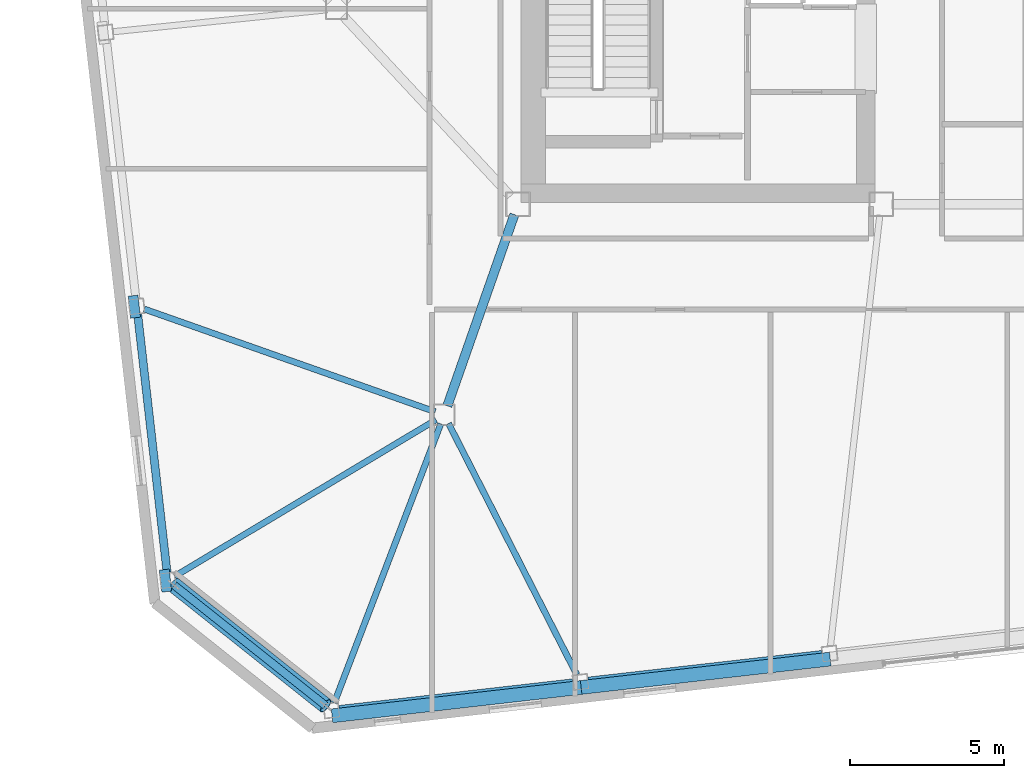
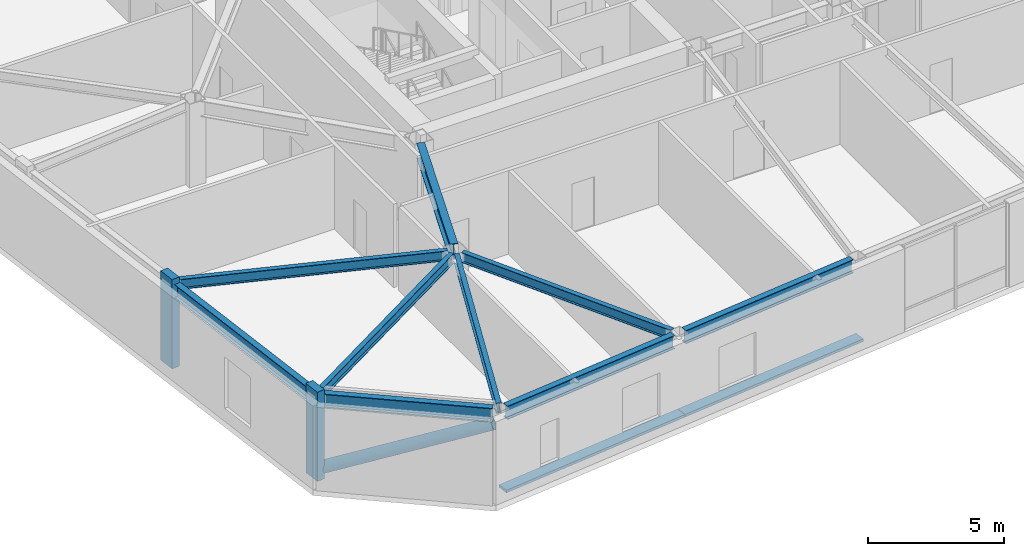
# One storey, part 5 of 21: 9 beams, 5 members.
"""IFC4 building model written with IfcOpenShell, lengths in metres."""

import ifcopenshell
import ifcopenshell.guid

model = None  # the IFC model being written
_history = None  # IfcOwnerHistory: only IFC2X3 demands one
_inside = {}  # id of a spatial element -> (the spatial element, [elements in it])
_under = {}  # id of a project, library or spatial element -> (it, [spatial elements below it])
_declared = {}  # id of a project -> (the project, [libraries it declares])
_typed = {}  # id of a type object -> (the type object, [elements of that type])
_made_of = {}  # id of a material, layer set ... -> (it, [elements and type objects made of it])


def new_model(schema):
    """Start an empty IFC model of exactly this schema.

    Asked for "IFC4X3", IfcOpenShell would pick the latest addendum, in which some entities
    have other attributes; the version numbers below select the first issue.
    IFC2X3 requires an IfcOwnerHistory on every rooted entity: one is made here for all.
    """
    global model, _history
    if schema == "IFC4X3":
        model = ifcopenshell.file(schema_version=(4, 3, 0, 0))
    else:
        model = ifcopenshell.file(schema=schema)
    _inside.clear()
    _under.clear()
    _declared.clear()
    _typed.clear()
    _made_of.clear()
    _history = None
    if model.schema == "IFC2X3":
        org = make("IfcOrganization", Name="unknown")
        user = make(
            "IfcPersonAndOrganization",
            ThePerson=make("IfcPerson", FamilyName="unknown"),
            TheOrganization=org,
        )
        app = make(
            "IfcApplication",
            ApplicationDeveloper=org,
            Version="unknown",
            ApplicationFullName="unknown",
            ApplicationIdentifier="unknown",
        )
        _history = make(
            "IfcOwnerHistory",
            OwningUser=user,
            OwningApplication=app,
            ChangeAction="ADDED",
            CreationDate=0,
        )
    return model


def make(cls, **values):
    """One entity of the class cls with the attributes given. An attribute that is None is left unset."""
    return model.create_entity(
        cls, **{name: value for name, value in values.items() if value is not None}
    )


def rooted(cls, **values):
    """An entity with a GlobalId (a new one), such as an element, a storey or a relation."""
    return make(cls, GlobalId=ifcopenshell.guid.new(), OwnerHistory=_history, **values)


def si_unit(unit_type, name, prefix=None):
    """IfcSIUnit, for example si_unit("LENGTHUNIT", "METRE", prefix="MILLI")."""
    return make("IfcSIUnit", UnitType=unit_type, Prefix=prefix, Name=name)


def assignment(units):
    """IfcUnitAssignment: the units of a project."""
    return None if units is None else make("IfcUnitAssignment", Units=units)


def point(xyz):
    """IfcCartesianPoint."""
    return None if xyz is None else make("IfcCartesianPoint", Coordinates=xyz)


def direction(xyz):
    """IfcDirection."""
    return None if xyz is None else make("IfcDirection", DirectionRatios=xyz)


def frame(location, z_axis=None, x_axis=None):
    """IfcAxis2Placement3D, a coordinate frame: its origin and axes. An axis left out is left unset."""
    return make(
        "IfcAxis2Placement3D",
        Location=point(location),
        Axis=direction(z_axis),
        RefDirection=direction(x_axis),
    )


def frame_2d(location, x_axis=None):
    """IfcAxis2Placement2D, a coordinate frame in the plane: its origin and x axis."""
    return make(
        "IfcAxis2Placement2D", Location=point(location), RefDirection=direction(x_axis)
    )


def origin():
    """The frame at (0, 0, 0) with its axes left unset."""
    return frame((0.0, 0.0, 0.0))


def origin_2d():
    """The frame at (0, 0) in the plane with its x axis left unset."""
    return frame_2d((0.0, 0.0))


def place(relative_to, where):
    """IfcLocalPlacement: puts the frame where relative to a parent placement (None: the world)."""
    return make(
        "IfcLocalPlacement", PlacementRelTo=relative_to, RelativePlacement=where
    )


def context(
    kind, dimensions, precision=None, world=None, true_north=None, identifier=None
):
    """IfcGeometricRepresentationContext, for example the 3D "Model" context."""
    return make(
        "IfcGeometricRepresentationContext",
        ContextIdentifier=identifier,
        ContextType=kind,
        CoordinateSpaceDimension=dimensions,
        Precision=precision,
        WorldCoordinateSystem=world,
        TrueNorth=true_north,
    )


def subcontext(parent, identifier, kind, view, scale=None):
    """IfcGeometricRepresentationSubContext, for example "Body" below "Model"."""
    return make(
        "IfcGeometricRepresentationSubContext",
        ContextIdentifier=identifier,
        ContextType=kind,
        ParentContext=parent,
        TargetScale=scale,
        TargetView=view,
    )


def project(units=None, contexts=None):
    """IfcProject with its units and contexts."""
    return rooted(
        "IfcProject",
        Name="project",
        RepresentationContexts=contexts,
        UnitsInContext=assignment(units),
    )


def spatial(cls, under=None, at=None, **own):
    """A site, building, storey or space (cls), placed at a placement, below another one or the project."""
    s = rooted(cls, ObjectPlacement=at, **own)
    if under is not None:
        _under.setdefault(under.id(), (under, []))[1].append(s)
    return s


def profile(cls, at=None, kind="AREA", **sizes):
    """A parametric profile (cls). Its sizes go by their IFC names, for example OverallWidth=200.0."""
    return make(cls, ProfileType=kind, Position=at, **sizes)


def rectangle(**sizes):
    """IfcRectangleProfileDef."""
    return profile("IfcRectangleProfileDef", **sizes)


def hollow_circle(**sizes):
    """IfcCircleHollowProfileDef."""
    return profile("IfcCircleHollowProfileDef", **sizes)


def i_section(**sizes):
    """IfcIShapeProfileDef."""
    return profile("IfcIShapeProfileDef", **sizes)


def extrude(swept, where, along, depth):
    """IfcExtrudedAreaSolid: the profile swept, set in the frame where, extruded along a direction by depth."""
    return make(
        "IfcExtrudedAreaSolid",
        SweptArea=swept,
        Position=where,
        ExtrudedDirection=direction(along),
        Depth=depth,
    )


def shape(context_of_items, identifier, shape_type, items):
    """IfcShapeRepresentation: the items that make up one representation, for example the "Body"."""
    return make(
        "IfcShapeRepresentation",
        ContextOfItems=context_of_items,
        RepresentationIdentifier=identifier,
        RepresentationType=shape_type,
        Items=items,
    )


def material(Name=None, Category=None):
    """IfcMaterial."""
    return make("IfcMaterial", Name=Name, Category=Category)


def material_profile(
    of_material, cross_section, Name=None, Category=None, Priority=None
):
    """IfcMaterialProfile: a cross section and its material."""
    return make(
        "IfcMaterialProfile",
        Name=Name,
        Material=of_material,
        Profile=cross_section,
        Priority=Priority,
        Category=Category,
    )


def profile_set(profiles, Name=None, composite=None):
    """IfcMaterialProfileSet."""
    return make(
        "IfcMaterialProfileSet",
        Name=Name,
        MaterialProfiles=profiles,
        CompositeProfile=composite,
    )


def made_of(thing, what):
    """Note that an element or type object is made of a material, layer set ...; save() writes the relation."""
    if what is not None:
        _made_of.setdefault(what.id(), (what, []))[1].append(thing)
    return thing


def type_object(cls, material=None, **own):
    """A type object (cls), such as IfcWallType, which elements share."""
    return made_of(rooted(cls, **own), material)


def element(
    cls,
    number,
    at=None,
    inside=None,
    cuts=None,
    type_object=None,
    material=None,
    context=None,
    identifier="Body",
    shape_type=None,
    held_by="IfcProductDefinitionShape",
    body=None,
    shapes=None,
    **own,
):
    """One element of the class cls, such as IfcWall. Its Tag is "e" and its number.

    at: its placement. inside: the storey or other place that contains it. cuts: it is an
    opening in that element (IfcRelVoidsElement). A single representation is given by context,
    identifier, shape_type and body (its items); several are given by shapes. held_by: the class
    of the entity that holds the representations. save() writes the other relations.
    """
    e = rooted(cls, Tag="e%d" % number, ObjectPlacement=at, **own)
    if body is not None:
        shapes = [shape(context, identifier, shape_type, body)]
    if shapes is not None:
        e.Representation = make(held_by, Representations=shapes)
    if inside is not None:
        _inside.setdefault(inside.id(), (inside, []))[1].append(e)
    if cuts is not None:
        rooted(
            "IfcRelVoidsElement", RelatingBuildingElement=cuts, RelatedOpeningElement=e
        )
    if type_object is not None:
        _typed.setdefault(type_object.id(), (type_object, []))[1].append(e)
    return made_of(e, material)


def aggregate(whole, parts):
    """IfcRelAggregates: a whole, such as a stair, and the parts it consists of."""
    return rooted("IfcRelAggregates", RelatingObject=whole, RelatedObjects=parts)


def save(model, path):
    """Write the relations noted so far, then the file.

    IfcRelAggregates (storeys below a building ...), IfcRelContainedInSpatialStructure (elements
    in a storey), IfcRelDefinesByType, IfcRelAssociatesMaterial and IfcRelDeclares: one each for
    every whole, place, type object, material and project.
    """
    for whole, parts in _under.values():
        aggregate(whole, parts)
    for where, things in _inside.values():
        rooted(
            "IfcRelContainedInSpatialStructure",
            RelatedElements=things,
            RelatingStructure=where,
        )
    for kind, things in _typed.values():
        rooted("IfcRelDefinesByType", RelatedObjects=things, RelatingType=kind)
    for what, things in _made_of.values():
        rooted("IfcRelAssociatesMaterial", RelatedObjects=things, RelatingMaterial=what)
    for by, libraries in _declared.values():
        rooted("IfcRelDeclares", RelatingContext=by, RelatedDefinitions=libraries)
    model.write(path)


model = new_model("IFC4")

# Units and contexts
model_context = context("Model", 3, precision=1e-05, world=origin(), true_north=direction((0.0, 1.0)))
body_context = subcontext(model_context, "Body", "Model", "MODEL_VIEW")
ifc_project = project(units=[si_unit("LENGTHUNIT", "METRE"), si_unit("AREAUNIT", "SQUARE_METRE"), si_unit("VOLUMEUNIT", "CUBIC_METRE"), si_unit("PLANEANGLEUNIT", "RADIAN"), si_unit("MASSUNIT", "GRAM", prefix="KILO")], contexts=[model_context])

# Site, building, storey
site_placement = place(None, origin())
site = spatial("IfcSite", under=ifc_project, at=site_placement, CompositionType="ELEMENT")
building_placement = place(site_placement, origin())
building = spatial("IfcBuilding", under=site, at=building_placement, Name="Tavrogorsk Clinical Tower", CompositionType="ELEMENT")
storey_placement = place(building_placement, frame((0.0, 0.0, 247.0)))
storey = spatial("IfcBuildingStorey", under=building, at=storey_placement, Name="L57", CompositionType="ELEMENT", Elevation=247.0)

# Members
ifc_material_1 = material(Name="Anodised aluminium alloy AW-6063", Category="aluminium")
ifc_material_profile_1 = material_profile(ifc_material_1, rectangle(XDim=0.449951171875, YDim=0.1201171875, at=origin_2d()), Name="ALU-SUNSHADE-450x120")
ifc_profile_set_1 = profile_set([ifc_material_profile_1], Name="Anodised aluminium alloy AW-6063")
member_type_1 = type_object("IfcMemberType", Name="ChicagoSunshade_450x120", PredefinedType="USERDEFINED", material=ifc_profile_set_1)
for number, where, z_axis, x_axis, name in (
    (1, (-28.144287109375, -22.981201171875, 0.179931640625), (0.9935729766, 0.113193375116, 0.0), (-0.113193375116, 0.9935729766, 0.0), "L57 South Aluminium Sunshade S1"),
    (2, (-20.048095703125, -22.058837890625, 0.179931640625), (0.9935729766, 0.113193375116, 0.0), (-0.113193375116, 0.9935729766, 0.0), "L57 South Aluminium Sunshade S2"),
):
    element("IfcMember", number, at=place(storey_placement, frame(where, z_axis=z_axis, x_axis=x_axis)), inside=storey, type_object=member_type_1, Name=name, ObjectType="SUNSHADE", PredefinedType="USERDEFINED", context=body_context, shape_type="SweptSolid", body=[
        extrude(rectangle(XDim=0.449951171875, YDim=0.1201171875, at=origin_2d()), origin(), (0.0, 0.0, 1.0), 8.148681640625),
    ])
ifc_material_2 = material(Name="Structural steel S440", Category="steel")
ifc_material_profile_2 = material_profile(ifc_material_2, hollow_circle(Radius=0.25390625, WallThickness=0.02001953125, at=origin_2d()), Name="CHS-508x20")
ifc_profile_set_2 = profile_set([ifc_material_profile_2], Name="Structural steel S440")
member_type_2 = type_object("IfcMemberType", Name="ExoBrace_CHS508", PredefinedType="BRACE", material=ifc_profile_set_2)
member_placement = place(storey_placement, frame((-33.29052734375, -18.725341796875, 0.398193359375), z_axis=(0.723851679348, -0.575789482159, 0.380138420237), x_axis=(0.622522488852, 0.782601910855, 0.0)))
element("IfcMember", 3, at=member_placement, inside=storey, type_object=member_type_2, Name="L57 Corner Exoskeleton Brace W5-S1", PredefinedType="BRACE", context=body_context, shape_type="SweptSolid", body=[
    extrude(hollow_circle(Radius=0.25390625, WallThickness=0.02001953125, at=origin_2d()), origin(), (0.0, 0.0, 1.0), 6.8232421875),
])

# Beams
ifc_material_3 = material(Name="Structural steel S355", Category="steel")
ifc_material_profile_3 = material_profile(ifc_material_3, i_section(OverallWidth=0.199951171875, OverallDepth=0.449951171875, WebThickness=0.011474609375, FlangeThickness=0.01806640625, at=origin_2d()), Name="B-450x200x11.5x18")
ifc_profile_set_3 = profile_set([ifc_material_profile_3], Name="Structural steel S355")
beam_type_1 = type_object("IfcBeamType", Name="FloorBeam_B450", PredefinedType="BEAM", material=ifc_profile_set_3)
beam_1_placement = place(storey_placement, frame((-24.610595703125, -13.489501953125, 3.514892578125), z_axis=(-0.356548354426, -0.93427687061, 0.0), x_axis=(0.93427687061, -0.356548354426, 0.0)))
element("IfcBeam", 4, at=beam_1_placement, inside=storey, type_object=beam_type_1, Name="L57 Radial Floor Beam S1", PredefinedType="BEAM", context=body_context, shape_type="SweptSolid", body=[
    extrude(i_section(OverallWidth=0.199951171875, OverallDepth=0.449951171875, WebThickness=0.011474609375, FlangeThickness=0.01806640625, at=origin_2d()), origin(), (0.0, 0.0, 1.0), 9.710205078125),
])
beam_2_placement = place(storey_placement, frame((-24.359130859375, -13.47607421875, 3.514892578125), z_axis=(0.454709818127, -0.890639647275, 0.0), x_axis=(0.890639647275, 0.454709818127, 0.0)))
element("IfcBeam", 5, at=beam_2_placement, inside=storey, type_object=beam_type_1, Name="L57 Radial Floor Beam S2", PredefinedType="BEAM", context=body_context, shape_type="SweptSolid", body=[
    extrude(i_section(OverallWidth=0.199951171875, OverallDepth=0.449951171875, WebThickness=0.011474609375, FlangeThickness=0.01806640625, at=origin_2d()), origin(), (0.0, 0.0, 1.0), 9.177978515625),
])
beam_3_placement = place(storey_placement, frame((-24.792236328125, -13.096923828125, 3.514892578125), z_axis=(-0.943014153926, 0.332752619067, 0.0), x_axis=(-0.332752619067, -0.943014153926, 0.0)))
element("IfcBeam", 6, at=beam_3_placement, inside=storey, type_object=beam_type_1, Name="L57 Radial Floor Beam W4", PredefinedType="BEAM", context=body_context, shape_type="SweptSolid", body=[
    extrude(i_section(OverallWidth=0.199951171875, OverallDepth=0.449951171875, WebThickness=0.011474609375, FlangeThickness=0.01806640625, at=origin_2d()), origin(), (0.0, 0.0, 1.0), 10.027587890625),
])
beam_4_placement = place(storey_placement, frame((-24.765869140625, -13.359375, 3.514892578125), z_axis=(-0.857906237315, -0.513806274754, 0.0), x_axis=(0.513806274754, -0.857906237315, 0.0)))
element("IfcBeam", 7, at=beam_4_placement, inside=storey, type_object=beam_type_1, Name="L57 Radial Floor Beam W5", PredefinedType="BEAM", context=body_context, shape_type="SweptSolid", body=[
    extrude(i_section(OverallWidth=0.199951171875, OverallDepth=0.449951171875, WebThickness=0.011474609375, FlangeThickness=0.01806640625, at=origin_2d()), origin(), (0.0, 0.0, 1.0), 9.896240234375),
])

# Members
ifc_material_4 = material(Name="Precast concrete B45 with limestone cladding", Category="masonry")
ifc_material_profile_4 = material_profile(ifc_material_4, rectangle(XDim=0.320068359375, YDim=0.719970703125, at=origin_2d()), Name="LIMESTONE-FIN-320x720")
ifc_profile_set_4 = profile_set([ifc_material_profile_4], Name="Precast concrete B45 with limestone cladding")
member_type_3 = type_object("IfcMemberType", Name="LimestonePleatFin_320x720", PredefinedType="USERDEFINED", material=ifc_profile_set_4)
for number, where, z_axis, x_axis, name in (
    (8, (-34.571044921875, -9.683349609375, 0.0), (0.0, 0.0, 1.0), (0.993571855677, 0.113203213768, 0.0), "L57 W Pleated Stone Fin 3"),
    (9, (-33.556640625, -18.585693359375, 0.0), (0.0, 0.0, 1.0), (0.993571855677, 0.113203213768, 0.0), "L57 W Pleated Stone Fin 4"),
):
    element("IfcMember", number, at=place(storey_placement, frame(where, z_axis=z_axis, x_axis=x_axis)), inside=storey, type_object=member_type_3, Name=name, ObjectType="FIN", PredefinedType="USERDEFINED", context=body_context, shape_type="SweptSolid", body=[
        extrude(rectangle(XDim=0.320068359375, YDim=0.719970703125, at=origin_2d()), origin(), (0.0, 0.0, 1.0), 4.0),
    ])

# Beams
ifc_material_5 = material(Name="Structural steel S390", Category="steel")
ifc_material_profile_5 = material_profile(ifc_material_5, i_section(OverallWidth=0.300048828125, OverallDepth=0.699951171875, WebThickness=0.01708984375, FlangeThickness=0.028076171875, at=origin_2d()), Name="B-700x300x17x28")
ifc_profile_set_5 = profile_set([ifc_material_profile_5], Name="Structural steel S390")
beam_type_2 = type_object("IfcBeamType", Name="PrimaryGirder_B700", PredefinedType="USERDEFINED", material=ifc_profile_set_5)
beam_5_placement = place(storey_placement, frame((-24.3974609375, -12.907470703125, 3.389892578125), z_axis=(0.330654121425, 0.943752007672, 0.0), x_axis=(-0.943752007672, 0.330654121425, 0.0)))
element("IfcBeam", 10, at=beam_5_placement, inside=storey, type_object=beam_type_2, Name="L57 Spine Link Girder OPG-1", ObjectType="GIRDER", PredefinedType="USERDEFINED", context=body_context, shape_type="SweptSolid", body=[
    extrude(i_section(OverallWidth=0.300048828125, OverallDepth=0.699951171875, WebThickness=0.01708984375, FlangeThickness=0.028076171875, at=origin_2d()), origin(), (0.0, 0.0, 1.0), 6.58837890625),
])
ifc_material_6 = material(Name="Structural steel S390", Category="steel")
ifc_material_profile_6 = material_profile(ifc_material_6, i_section(OverallWidth=0.260009765625, OverallDepth=0.60009765625, WebThickness=0.014892578125, FlangeThickness=0.02392578125, at=origin_2d()), Name="B-600x260x15x24")
ifc_profile_set_6 = profile_set([ifc_material_profile_6], Name="Structural steel S390")
beam_type_3 = type_object("IfcBeamType", Name="SpandrelBeam_B600", PredefinedType="SPANDREL", material=ifc_profile_set_6)
for number, where, z_axis, x_axis, name in (
    (11, (-27.908447265625, -22.773193359375, 3.43994140625), (0.993575697004, 0.113169493787, 0.0), (-0.113169493787, 0.993575697004, 0.0), "L57 Perimeter Spandrel S1-S2"),
    (12, (-19.812255859375, -21.850830078125, 3.43994140625), (0.993572099834, 0.113201070804, 0.0), (-0.113201070804, 0.993572099834, 0.0), "L57 Perimeter Spandrel S2-S3"),
):
    element("IfcBeam", number, at=place(storey_placement, frame(where, z_axis=z_axis, x_axis=x_axis)), inside=storey, type_object=beam_type_3, Name=name, PredefinedType="SPANDREL", context=body_context, shape_type="SweptSolid", body=[
        extrude(i_section(OverallWidth=0.260009765625, OverallDepth=0.60009765625, WebThickness=0.014892578125, FlangeThickness=0.02392578125, at=origin_2d()), origin(), (0.0, 0.0, 1.0), 7.632568359375),
    ])
beam_6_placement = place(storey_placement, frame((-34.46240234375, -9.9306640625, 3.43994140625), z_axis=(0.113223671813, -0.993569524563, 0.0), x_axis=(0.993569524563, 0.113223671813, 0.0)))
element("IfcBeam", 13, at=beam_6_placement, inside=storey, type_object=beam_type_3, Name="L57 Perimeter Spandrel W4-W5", PredefinedType="SPANDREL", context=body_context, shape_type="SweptSolid", body=[
    extrude(i_section(OverallWidth=0.260009765625, OverallDepth=0.60009765625, WebThickness=0.014892578125, FlangeThickness=0.02392578125, at=origin_2d()), origin(), (0.0, 0.0, 1.0), 8.44384765625),
])
beam_7_placement = place(storey_placement, frame((-33.275390625, -18.7373046875, 3.43994140625), z_axis=(0.782608811853, -0.622513813188, 0.0), x_axis=(0.622513813188, 0.782608811853, 0.0)))
element("IfcBeam", 14, at=beam_7_placement, inside=storey, type_object=beam_type_3, Name="L57 Perimeter Spandrel W5-S1", PredefinedType="SPANDREL", context=body_context, shape_type="SweptSolid", body=[
    extrude(i_section(OverallWidth=0.260009765625, OverallDepth=0.60009765625, WebThickness=0.014892578125, FlangeThickness=0.02392578125, at=origin_2d()), origin(), (0.0, 0.0, 1.0), 6.272216796875),
])

save(model, "model.ifc")
